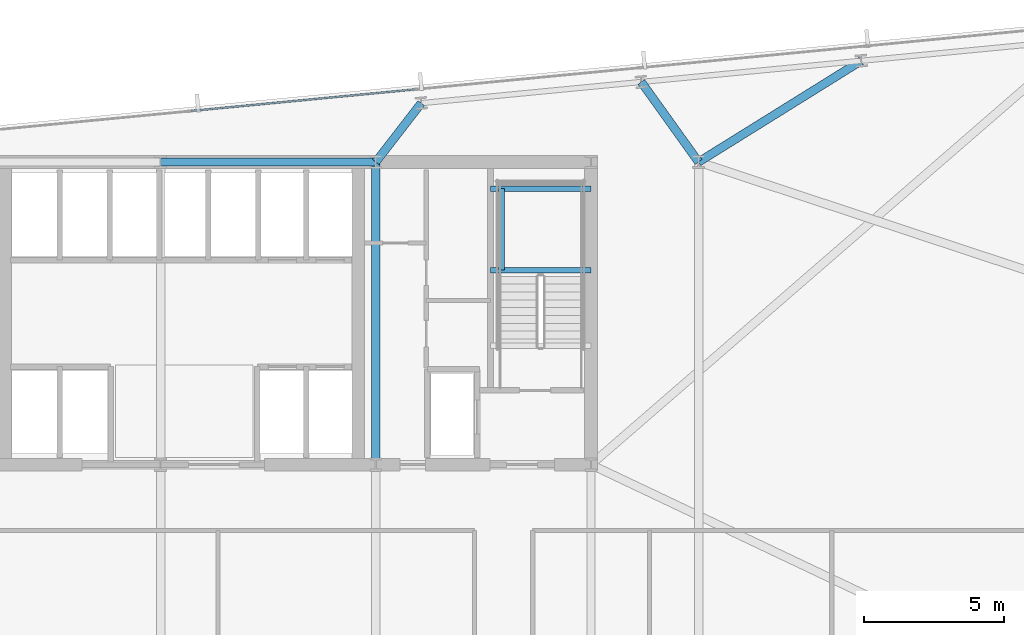
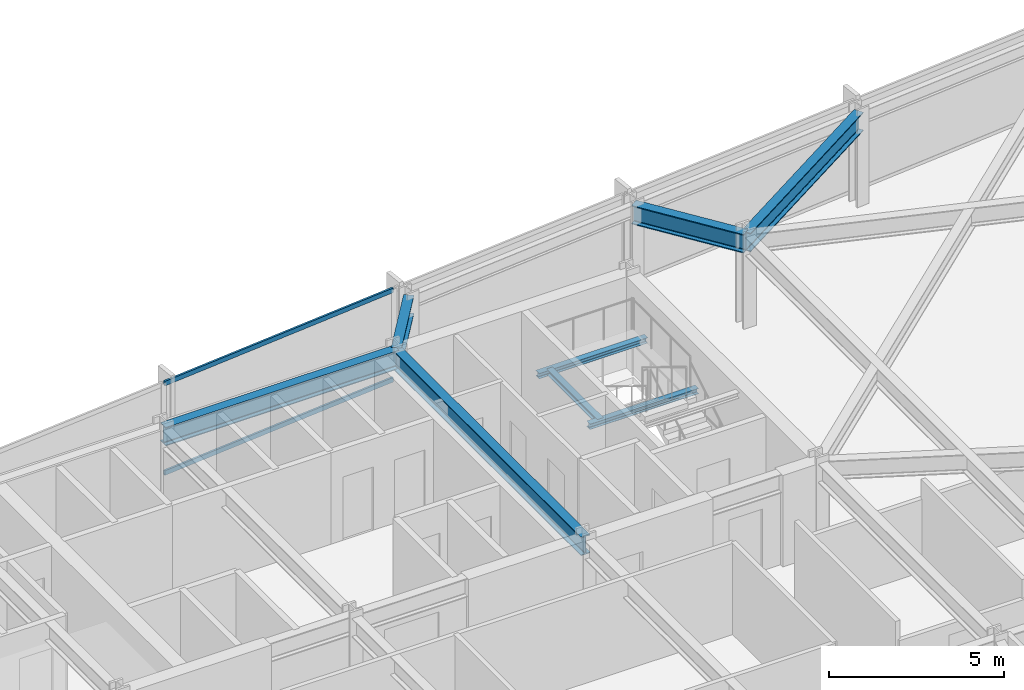
# One storey, part 20 of 32: 8 beams, 2 members, 1 element without a shape of its own.
"""IFC4 building model written with IfcOpenShell, lengths in metres."""

from ifc_helpers import new_model, si_unit, direction, frame, origin, origin_2d, place, context, subcontext, project, spatial, hollow_rectangle, i_section, extrude, material, material_profile, profile_set, type_object, element, aggregate, save


model = new_model("IFC4")

# Units and contexts
model_context = context("Model", 3, precision=1e-05, world=origin(), true_north=direction((0.0, 1.0)))
body_context = subcontext(model_context, "Body", "Model", "MODEL_VIEW")
ifc_project = project(units=[si_unit("LENGTHUNIT", "METRE"), si_unit("AREAUNIT", "SQUARE_METRE"), si_unit("VOLUMEUNIT", "CUBIC_METRE"), si_unit("PLANEANGLEUNIT", "RADIAN"), si_unit("MASSUNIT", "GRAM", prefix="KILO")], contexts=[model_context])

# Site, building, storey
site_placement = place(None, origin())
site = spatial("IfcSite", under=ifc_project, at=site_placement, CompositionType="ELEMENT")
building_placement = place(site_placement, origin())
building = spatial("IfcBuilding", under=site, at=building_placement, Name="Yelkora Congress Tower", CompositionType="ELEMENT")
storey_placement = place(building_placement, frame((0.0, 0.0, 93.10009765625)))
storey = spatial("IfcBuildingStorey", under=building, at=storey_placement, Name="L24", CompositionType="ELEMENT", Elevation=93.10009765625)

# Beams
ifc_material_1 = material(Name="Steel S355J2", Category="steel")
ifc_material_profile_1 = material_profile(ifc_material_1, i_section(OverallWidth=0.300048828125, OverallDepth=0.64990234375, WebThickness=0.01611328125, FlangeThickness=0.031005859375, FilletRadius=0.027099609375, at=origin_2d()), Name="HEB 650")
ifc_profile_set_1 = profile_set([ifc_material_profile_1], Name="Steel S355J2")
beam_type_1 = type_object("IfcBeamType", Name="BM-GIRD-HEB650", PredefinedType="BEAM", material=ifc_profile_set_1)
beam_1_placement = place(storey_placement, frame((38.39990234375, 46.199951171875, 2.85498046875), z_axis=(1.0, 0.0, 0.0), x_axis=(0.0, 1.0, 0.0)))
element("IfcBeam", 1, at=beam_1_placement, inside=storey, type_object=beam_type_1, Name="L24 Core North Girder 4", PredefinedType="BEAM", context=body_context, shape_type="SweptSolid", body=[
    extrude(i_section(OverallWidth=0.300048828125, OverallDepth=0.64990234375, WebThickness=0.01611328125, FlangeThickness=0.031005859375, FilletRadius=0.027099609375, at=origin_2d()), origin(), (0.0, 0.0, 1.0), 7.68017578125),
])
beam_2_placement = place(storey_placement, frame((46.080078125, 35.39990234375, 2.85498046875), z_axis=(0.0, 1.0, 0.0), x_axis=(-1.0, 0.0, 0.0)))
element("IfcBeam", 2, at=beam_2_placement, inside=storey, type_object=beam_type_1, Name="L24 Core Tie Girder MC-S4", PredefinedType="BEAM", context=body_context, shape_type="SweptSolid", body=[
    extrude(i_section(OverallWidth=0.300048828125, OverallDepth=0.64990234375, WebThickness=0.01611328125, FlangeThickness=0.031005859375, FilletRadius=0.027099609375, at=origin_2d()), origin(), (0.0, 0.0, 1.0), 10.800048828125),
])
beam_3_placement = place(storey_placement, frame((47.70458984375, 48.300537109375, 2.85498046875), z_axis=(-0.611761448665, -0.791042306029, 0.0), x_axis=(0.791042306029, -0.611761448665, 0.0)))
element("IfcBeam", 3, at=beam_3_placement, inside=storey, type_object=beam_type_1, Name="L24 Primary Frame Girder N05", PredefinedType="BEAM", context=body_context, shape_type="SweptSolid", body=[
    extrude(i_section(OverallWidth=0.300048828125, OverallDepth=0.64990234375, WebThickness=0.01611328125, FlangeThickness=0.031005859375, FilletRadius=0.027099609375, at=origin_2d()), origin(), (0.0, 0.0, 1.0), 2.655517578125),
])
beam_4_placement = place(storey_placement, frame((55.553955078125, 49.056396484375, 2.85498046875), z_axis=(0.582335305303, -0.81294870207, 0.0), x_axis=(0.81294870207, 0.582335305303, 0.0)))
element("IfcBeam", 4, at=beam_4_placement, inside=storey, type_object=beam_type_1, Name="L24 Primary Frame Girder N06", PredefinedType="BEAM", context=body_context, shape_type="SweptSolid", body=[
    extrude(i_section(OverallWidth=0.300048828125, OverallDepth=0.64990234375, WebThickness=0.01611328125, FlangeThickness=0.031005859375, FilletRadius=0.027099609375, at=origin_2d()), origin(), (0.0, 0.0, 1.0), 3.513671875),
])
beam_5_placement = place(storey_placement, frame((63.4033203125, 49.81201171875, 2.85498046875), z_axis=(-0.848980050527, -0.528424898929, 0.0), x_axis=(0.528424898929, -0.848980050527, 0.0)))
element("IfcBeam", 5, at=beam_5_placement, inside=storey, type_object=beam_type_1, Name="L24 Primary Frame Girder N07", PredefinedType="BEAM", context=body_context, shape_type="SweptSolid", body=[
    extrude(i_section(OverallWidth=0.300048828125, OverallDepth=0.64990234375, WebThickness=0.01611328125, FlangeThickness=0.031005859375, FilletRadius=0.027099609375, at=origin_2d()), origin(), (0.0, 0.0, 1.0), 6.83544921875),
])
ifc_material_profile_2 = material_profile(ifc_material_1, i_section(OverallWidth=0.199951171875, OverallDepth=0.18994140625, WebThickness=0.006591796875, FlangeThickness=0.010009765625, FilletRadius=0.01806640625, at=origin_2d()), Name="HEA 200")
ifc_profile_set_2 = profile_set([ifc_material_profile_2], Name="Steel S355J2")
beam_type_2 = type_object("IfcBeamType", Name="BM-LAND-HEA200", PredefinedType="BEAM", material=ifc_profile_set_2)
for number, where, z_axis, x_axis, name in (
    (6, (50.179931640625, 42.340087890625, 1.384521484375), (1.0, 0.0, 0.0), (0.0, 1.0, 0.0), "ST-02 L24 Landing Header Beam 1S"),
    (7, (50.179931640625, 45.25, 1.384521484375), (1.0, 0.0, 0.0), (0.0, 1.0, 0.0), "ST-02 L24 Landing Header Beam 1N"),
):
    element("IfcBeam", number, at=place(storey_placement, frame(where, z_axis=z_axis, x_axis=x_axis)), inside=storey, type_object=beam_type_2, Name=name, PredefinedType="BEAM", context=body_context, shape_type="SweptSolid", body=[
        extrude(i_section(OverallWidth=0.199951171875, OverallDepth=0.18994140625, WebThickness=0.006591796875, FlangeThickness=0.010009765625, FilletRadius=0.01806640625, at=origin_2d()), origin(), (0.0, 0.0, 1.0), 3.580078125),
    ])
beam_6_placement = place(storey_placement, frame((50.580078125, 42.340087890625, 1.384521484375), z_axis=(0.0, 1.0, 0.0), x_axis=(-1.0, 0.0, 0.0)))
element("IfcBeam", 8, at=beam_6_placement, inside=storey, type_object=beam_type_2, Name="ST-02 L24 Landing Trimmer Beam 1M", PredefinedType="BEAM", context=body_context, shape_type="SweptSolid", body=[
    extrude(i_section(OverallWidth=0.199951171875, OverallDepth=0.18994140625, WebThickness=0.006591796875, FlangeThickness=0.010009765625, FilletRadius=0.01806640625, at=origin_2d()), origin(), (0.0, 0.0, 1.0), 2.909912109375),
])

# Curtain wall, members
ifc_material_2 = material(Name="Anodised aluminium and insulated glass", Category="aluminium")
curtain_wall_type = type_object("IfcCurtainWallType", Name="CW-SYS-B2", PredefinedType="NOTDEFINED", material=ifc_material_2)
curtain_wall_placement = place(storey_placement, origin())
curtain_wall = element("IfcCurtainWall", 9, at=curtain_wall_placement, inside=storey, type_object=curtain_wall_type, Name="L24 Unitised Curtain Wall 10 (3)", PredefinedType="NOTDEFINED")
ifc_material_3 = material(Name="Anodised aluminium 6063-T6", Category="aluminium")
ifc_material_profile_3 = material_profile(ifc_material_3, hollow_rectangle(XDim=0.06494140625, YDim=0.159912109375, WallThickness=0.00390625, at=origin_2d()), Name="ALU 65x160x4")
ifc_profile_set_3 = profile_set([ifc_material_profile_3], Name="Anodised aluminium 6063-T6")
member_type = type_object("IfcMemberType", Name="MEM-TR-B2", PredefinedType="USERDEFINED", material=ifc_profile_set_3)
member_1_placement = place(storey_placement, frame((39.48681640625, 48.021728515625, 0.032470703125), z_axis=(0.995397513894, 0.095832089266, 0.0), x_axis=(-0.095832089266, 0.995397513894, 0.0)))
member_1 = element("IfcMember", 10, at=member_1_placement, type_object=member_type, Name="CW-B2 transom 3.1", ObjectType="TRANSOM", PredefinedType="USERDEFINED", context=body_context, shape_type="SweptSolid", body=[
    extrude(hollow_rectangle(XDim=0.06494140625, YDim=0.159912109375, WallThickness=0.00390625, at=origin_2d()), origin(), (0.0, 0.0, 1.0), 8.007080078125),
])
member_2_placement = place(storey_placement, frame((39.48681640625, 48.021728515625, 3.1474609375), z_axis=(0.995397513894, 0.095832089266, 0.0), x_axis=(-0.095832089266, 0.995397513894, 0.0)))
member_2 = element("IfcMember", 11, at=member_2_placement, type_object=member_type, Name="CW-B2 transom 3.2", ObjectType="TRANSOM", PredefinedType="USERDEFINED", context=body_context, shape_type="SweptSolid", body=[
    extrude(hollow_rectangle(XDim=0.06494140625, YDim=0.159912109375, WallThickness=0.00390625, at=origin_2d()), origin(), (0.0, 0.0, 1.0), 8.007080078125),
])
aggregate(curtain_wall, [member_1, member_2])

save(model, "model.ifc")
